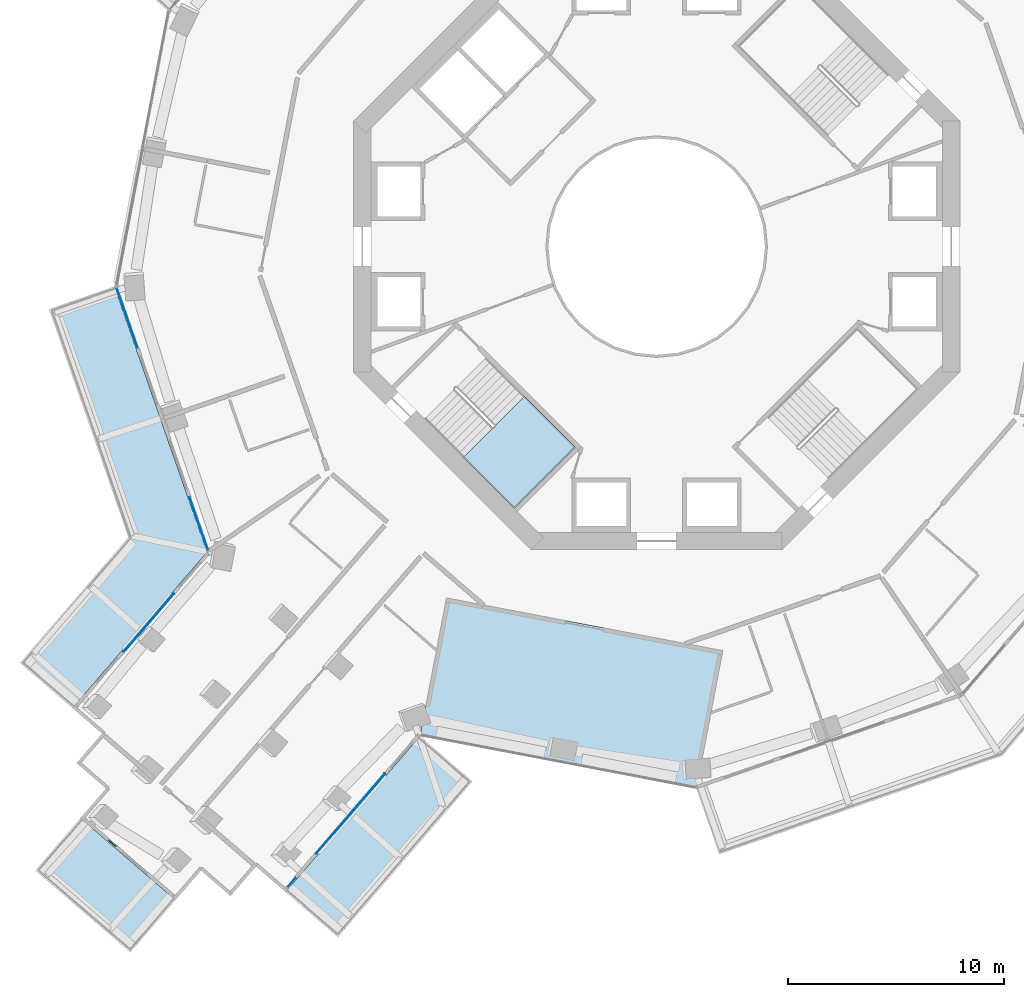
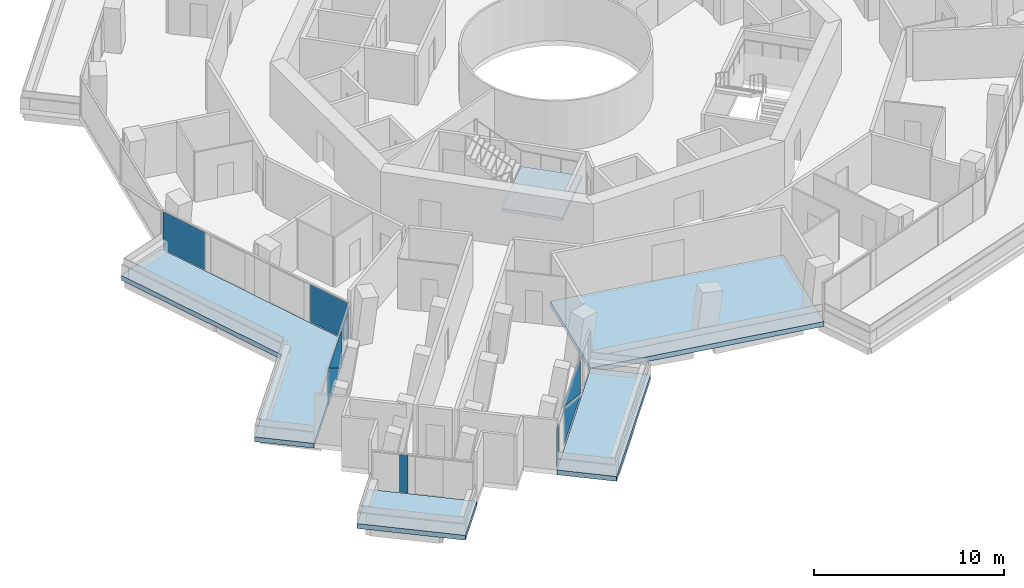
# One storey, part 11 of 23: 8 plates, 5 slabs, 5 elements without a shape of their own.
"""IFC4 building model written with IfcOpenShell, lengths in metres."""

from ifc_helpers import new_model, si_unit, direction, frame, origin, origin_2d, place, context, subcontext, project, spatial, polyline, rectangle, outline, extrude, material, layer, layer_set, type_object, element, aggregate, save


model = new_model("IFC4")

# Units and contexts
model_context = context("Model", 3, precision=1e-05, world=origin(), true_north=direction((0.0, 1.0)))
body_context = subcontext(model_context, "Body", "Model", "MODEL_VIEW")
ifc_project = project(units=[si_unit("LENGTHUNIT", "METRE"), si_unit("AREAUNIT", "SQUARE_METRE"), si_unit("VOLUMEUNIT", "CUBIC_METRE"), si_unit("PLANEANGLEUNIT", "RADIAN"), si_unit("MASSUNIT", "GRAM", prefix="KILO")], contexts=[model_context])

# Site, building, storey
site_placement = place(None, origin())
site = spatial("IfcSite", under=ifc_project, at=site_placement, CompositionType="ELEMENT")
building_placement = place(site_placement, origin())
building = spatial("IfcBuilding", under=site, at=building_placement, Name="Verdalira Terraces Hotel", CompositionType="ELEMENT")
storey_placement = place(building_placement, frame((0.0, 0.0, 111.5)))
storey = spatial("IfcBuildingStorey", under=building, at=storey_placement, Name="L26", CompositionType="ELEMENT", Elevation=111.5)

# Slabs
ifc_material_1 = material(Name="Precast concrete C40/50", Category="concrete")
ifc_layer_1 = layer(ifc_material_1, 0.31005859375)
ifc_layer_set_1 = layer_set([ifc_layer_1], Name="Balcony deck 310")
slab_type_1 = type_object("IfcSlabType", Name="Balcony deck 310", PredefinedType="FLOOR", material=ifc_layer_set_1)
slab_1_placement = place(storey_placement, frame((0.0, 0.0, -0.310059)))
element("IfcSlab", 1, at=slab_1_placement, inside=storey, type_object=slab_type_1, Name="Balcony deck", PredefinedType="FLOOR", context=body_context, shape_type="SweptSolid", body=[
    extrude(outline(polyline([(-24.400879, -13.423828), (-29.409668, -19.226562), (-26.987305, -21.317383), (-20.77124, -14.116211), (-25.046631, -1.839355), (-28.068604, -2.891602), (-24.400879, -13.423828)])), origin(), (0.0, 0.0, 1.0), 0.310059),
])
slab_2_placement = place(storey_placement, frame((0.0, 0.0, -0.310059)))
element("IfcSlab", 2, at=slab_2_placement, inside=storey, type_object=slab_type_1, Name="Balcony deck", PredefinedType="FLOOR", context=body_context, shape_type="SweptSolid", body=[
    extrude(outline(polyline([(-24.314941, -32.607178), (-22.223877, -30.184814), (-26.614502, -26.39502), (-28.705322, -28.817383), (-24.314941, -32.607178)])), origin(), (0.0, 0.0, 1.0), 0.310059),
])
slab_3_placement = place(storey_placement, frame((0.0, 0.0, -0.310059)))
element("IfcSlab", 3, at=slab_3_placement, inside=storey, type_object=slab_type_1, Name="Balcony deck", PredefinedType="FLOOR", context=body_context, shape_type="SweptSolid", body=[
    extrude(outline(polyline([(-8.508057, -24.70166), (-10.93042, -22.610596), (-17.146484, -29.812012), (-14.724121, -31.902832), (-8.508057, -24.70166)])), origin(), (0.0, 0.0, 1.0), 0.310059),
])

# Curtain wall, plates
ifc_material_2 = material(Name="Clear glass", Category="glass")
ifc_layer_2 = layer(ifc_material_2, 0.14990234375)
ifc_layer_set_2 = layer_set([ifc_layer_2], Name="CW1 curtain wall")
curtain_wall_type_1 = type_object("IfcCurtainWallType", Name="CW1 curtain wall", PredefinedType="NOTDEFINED", material=ifc_layer_set_2)
curtain_wall_1_placement = place(storey_placement, origin())
curtain_wall_1 = element("IfcCurtainWall", 4, at=curtain_wall_1_placement, inside=storey, type_object=curtain_wall_type_1, Name="CW1 curtain wall L26 edge 13", PredefinedType="NOTDEFINED")
ifc_material_3 = material(Name="Clear glass", Category="glass")
ifc_layer_3 = layer(ifc_material_3, 0.028076171875)
ifc_layer_set_3 = layer_set([ifc_layer_3], Name="CW1 glass unit 28")
plate_type_1 = type_object("IfcPlateType", Name="CW1 glass unit 28", PredefinedType="CURTAIN_PANEL", material=ifc_layer_set_3)
plate_1_placement = place(storey_placement, frame((-24.461914, -3.290283, 0.0), z_axis=(0.0, 0.0, 1.0), x_axis=(0.328866647, -0.94437637, 0.0)))
plate_1 = element("IfcPlate", 5, at=plate_1_placement, type_object=plate_type_1, Name="CW1 glass unit", PredefinedType="CURTAIN_PANEL", context=body_context, shape_type="SweptSolid", body=[
    extrude(rectangle(XDim=2.924805, YDim=0.028076, at=origin_2d()), origin(), (0.0, 0.0, 1.0), 2.425049),
])
plate_2_placement = place(storey_placement, frame((-21.148438, -12.805176, 0.0), z_axis=(0.0, 0.0, 1.0), x_axis=(0.328866647, -0.94437637, 0.0)))
plate_2 = element("IfcPlate", 6, at=plate_2_placement, type_object=plate_type_1, Name="CW1 glass unit", PredefinedType="CURTAIN_PANEL", context=body_context, shape_type="SweptSolid", body=[
    extrude(rectangle(XDim=2.604492, YDim=0.028076, at=origin_2d()), origin(), (0.0, 0.0, 1.0), 2.425049),
])
aggregate(curtain_wall_1, [plate_1, plate_2])

ifc_material_4 = material(Name="Clear glass", Category="glass")
ifc_layer_4 = layer(ifc_material_4, 0.14990234375)
ifc_layer_set_4 = layer_set([ifc_layer_4], Name="CW2 curtain wall")
curtain_wall_type_2 = type_object("IfcCurtainWallType", Name="CW2 curtain wall", PredefinedType="NOTDEFINED", material=ifc_layer_set_4)
curtain_wall_2_placement = place(storey_placement, origin())
curtain_wall_2 = element("IfcCurtainWall", 7, at=curtain_wall_2_placement, inside=storey, type_object=curtain_wall_type_2, Name="CW2 curtain wall L26 edge 14", PredefinedType="NOTDEFINED")
ifc_material_5 = material(Name="Clear glass", Category="glass")
ifc_layer_5 = layer(ifc_material_5, 0.031982421875)
ifc_layer_set_5 = layer_set([ifc_layer_5], Name="CW2 glass unit 32")
plate_type_2 = type_object("IfcPlateType", Name="CW2 glass unit 32", PredefinedType="CURTAIN_PANEL", material=ifc_layer_set_5)
plate_3_placement = place(storey_placement, frame((-23.461914, -17.372559, 1.212402), z_axis=(-0.756995056, 0.653420604, 0.0), x_axis=(-0.653420604, -0.756995056, 0.0)))
plate_3 = element("IfcPlate", 8, at=plate_3_placement, type_object=plate_type_2, Name="CW2 glass unit", PredefinedType="CURTAIN_PANEL", context=body_context, shape_type="SweptSolid", body=[
    extrude(outline(polyline([(-1.759521, -1.212402), (1.759521, -1.212402), (1.759521, 1.212402), (-1.759521, -1.212402)])), origin(), (0.0, 0.0, 1.0), 0.031982),
])
plate_4_placement = place(storey_placement, frame((-23.437012, -17.394043, 1.212402), z_axis=(-0.756995056, 0.653420604, 0.0), x_axis=(-0.653420604, -0.756995056, 0.0)))
plate_4 = element("IfcPlate", 9, at=plate_4_placement, type_object=plate_type_2, Name="CW2 glass unit", PredefinedType="CURTAIN_PANEL", context=body_context, shape_type="SweptSolid", body=[
    extrude(outline(polyline([(-1.759521, -1.212402), (1.759521, 1.212402), (-1.759521, 1.212402), (-1.759521, -1.212402)])), origin(), (0.0, 0.0, 1.0), 0.031982),
])
aggregate(curtain_wall_2, [plate_3, plate_4])

curtain_wall_3_placement = place(storey_placement, origin())
curtain_wall_3 = element("IfcCurtainWall", 10, at=curtain_wall_3_placement, inside=storey, type_object=curtain_wall_type_2, Name="CW2 curtain wall L26 edge 24", PredefinedType="NOTDEFINED")
plate_5_placement = place(storey_placement, frame((-16.876465, -29.384521, 0.0), z_axis=(0.0, 0.0, 1.0), x_axis=(0.653420604, 0.756995056, 0.0)))
plate_5 = element("IfcPlate", 11, at=plate_5_placement, type_object=plate_type_2, Name="CW2 glass unit", PredefinedType="CURTAIN_PANEL", context=body_context, shape_type="SweptSolid", body=[
    extrude(rectangle(XDim=0.560059, YDim=0.031982, at=origin_2d()), origin(), (0.0, 0.0, 1.0), 2.425049),
])
plate_6_placement = place(storey_placement, frame((-14.140381, -26.189941, 1.212402), z_axis=(0.756995056, -0.653420604, 0.0), x_axis=(0.653420604, 0.756995056, 0.0)))
plate_6 = element("IfcPlate", 12, at=plate_6_placement, type_object=plate_type_2, Name="CW2 glass unit", PredefinedType="CURTAIN_PANEL", context=body_context, shape_type="SweptSolid", body=[
    extrude(outline(polyline([(-2.437012, -1.212402), (2.437012, -1.212402), (-2.437012, 1.212402), (-2.437012, -1.212402)])), origin(), (0.0, 0.0, 1.0), 0.031982),
])
plate_7_placement = place(storey_placement, frame((-14.165283, -26.168457, 1.212402), z_axis=(0.756995056, -0.653420604, 0.0), x_axis=(0.653420604, 0.756995056, 0.0)))
plate_7 = element("IfcPlate", 13, at=plate_7_placement, type_object=plate_type_2, Name="CW2 glass unit", PredefinedType="CURTAIN_PANEL", context=body_context, shape_type="SweptSolid", body=[
    extrude(outline(polyline([(2.437012, -1.212402), (2.437012, 1.212402), (-2.437012, 1.212402), (2.437012, -1.212402)])), origin(), (0.0, 0.0, 1.0), 0.031982),
])
aggregate(curtain_wall_3, [plate_5, plate_6, plate_7])

# Curtain wall, plate
ifc_material_6 = material(Name="Clear glass", Category="glass")
ifc_layer_6 = layer(ifc_material_6, 0.14990234375)
ifc_layer_set_6 = layer_set([ifc_layer_6], Name="CW3 curtain wall")
curtain_wall_type_3 = type_object("IfcCurtainWallType", Name="CW3 curtain wall", PredefinedType="NOTDEFINED", material=ifc_layer_set_6)
curtain_wall_4_placement = place(storey_placement, origin())
curtain_wall_4 = element("IfcCurtainWall", 14, at=curtain_wall_4_placement, inside=storey, type_object=curtain_wall_type_3, Name="CW3 curtain wall L26 edge 19", PredefinedType="NOTDEFINED")
ifc_material_7 = material(Name="Clear glass", Category="glass")
ifc_layer_7 = layer(ifc_material_7, 0.035888671875)
ifc_layer_set_7 = layer_set([ifc_layer_7], Name="CW3 glass unit 36")
plate_type_3 = type_object("IfcPlateType", Name="CW3 glass unit 36", PredefinedType="CURTAIN_PANEL", material=ifc_layer_set_7)
plate_8_placement = place(storey_placement, frame((-25.14502, -27.564209, 0.0), z_axis=(0.0, 0.0, 1.0), x_axis=(0.756995056, -0.653420604, 0.0)))
plate_8 = element("IfcPlate", 15, at=plate_8_placement, type_object=plate_type_3, Name="CW3 glass unit", PredefinedType="CURTAIN_PANEL", context=body_context, shape_type="SweptSolid", body=[
    extrude(rectangle(XDim=0.44751, YDim=0.035889, at=origin_2d()), origin(), (0.0, 0.0, 1.0), 2.425049),
])
aggregate(curtain_wall_4, [plate_8])

# Stair, slab
ifc_material_8 = material(Name="Concrete C40", Category="concrete")
stair_type = type_object("IfcStairType", Name="Core stair 20 risers 1950 mm wide", PredefinedType="HALF_TURN_STAIR", material=ifc_material_8)
stair_placement = place(storey_placement, origin())
stair = element("IfcStair", 16, at=stair_placement, inside=storey, type_object=stair_type, Name="L26 Exit stair ST2", PredefinedType="HALF_TURN_STAIR")
ifc_material_9 = material(Name="Concrete C40", Category="concrete")
ifc_layer_8 = layer(ifc_material_9, 0.199951171875)
ifc_layer_set_8 = layer_set([ifc_layer_8], Name="Core stair landing 200 mm")
slab_type_2 = type_object("IfcSlabType", Name="Core stair landing 200 mm", PredefinedType="LANDING", material=ifc_layer_set_8)
slab_4_placement = place(storey_placement, frame((0.0, 0.0, 1.550049)))
slab_4 = element("IfcSlab", 17, at=slab_4_placement, type_object=slab_type_2, Name="ST2 landing 1", PredefinedType="LANDING", context=body_context, shape_type="SweptSolid", body=[
    extrude(outline(polyline([(-8.931152, -9.736572), (-6.576172, -12.091553), (-3.747559, -9.263184), (-6.102783, -6.907959), (-8.931152, -9.736572)])), origin(), (0.0, 0.0, 1.0), 0.199951),
])
aggregate(stair, [slab_4])

# Slab
ifc_material_10 = material(Name="Concrete C40", Category="concrete")
ifc_layer_9 = layer(ifc_material_10, 0.31005859375)
ifc_layer_set_9 = layer_set([ifc_layer_9], Name="Loggia floor deck 310 C40")
slab_type_3 = type_object("IfcSlabType", Name="Loggia floor deck 310 C40", PredefinedType="FLOOR", material=ifc_layer_set_9)
slab_5_placement = place(storey_placement, frame((0.0, 0.0, -0.310059)))
element("IfcSlab", 18, at=slab_5_placement, inside=storey, type_object=slab_type_3, Name="Loggia deck L26", PredefinedType="FLOOR", context=body_context, shape_type="SweptSolid", body=[
    extrude(outline(polyline([(-9.712402, -16.22583), (-10.93042, -22.610596), (1.839355, -25.046631), (3.057373, -18.661865), (-9.712402, -16.22583)])), origin(), (0.0, 0.0, 1.0), 0.310059),
])

save(model, "model.ifc")
